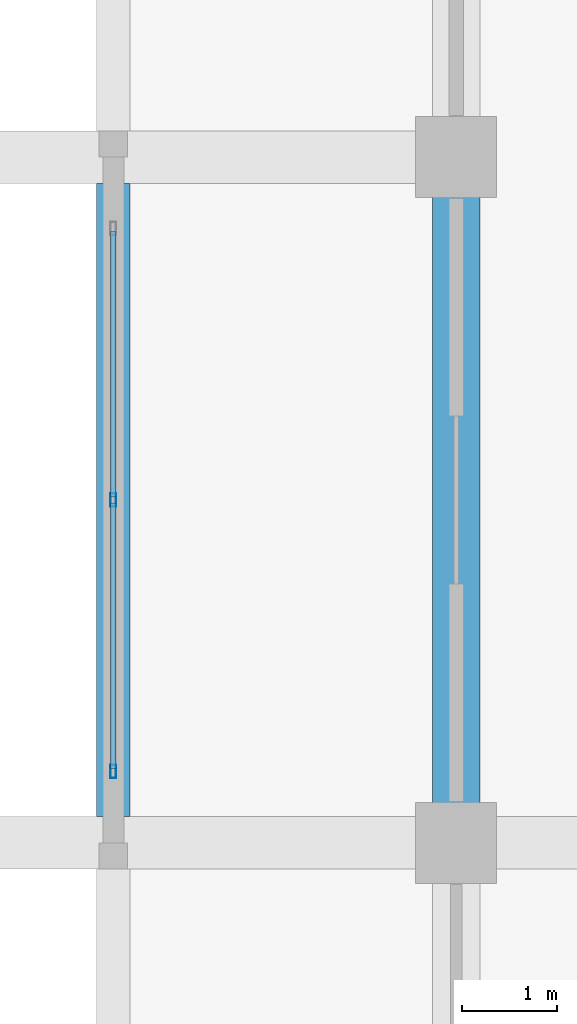
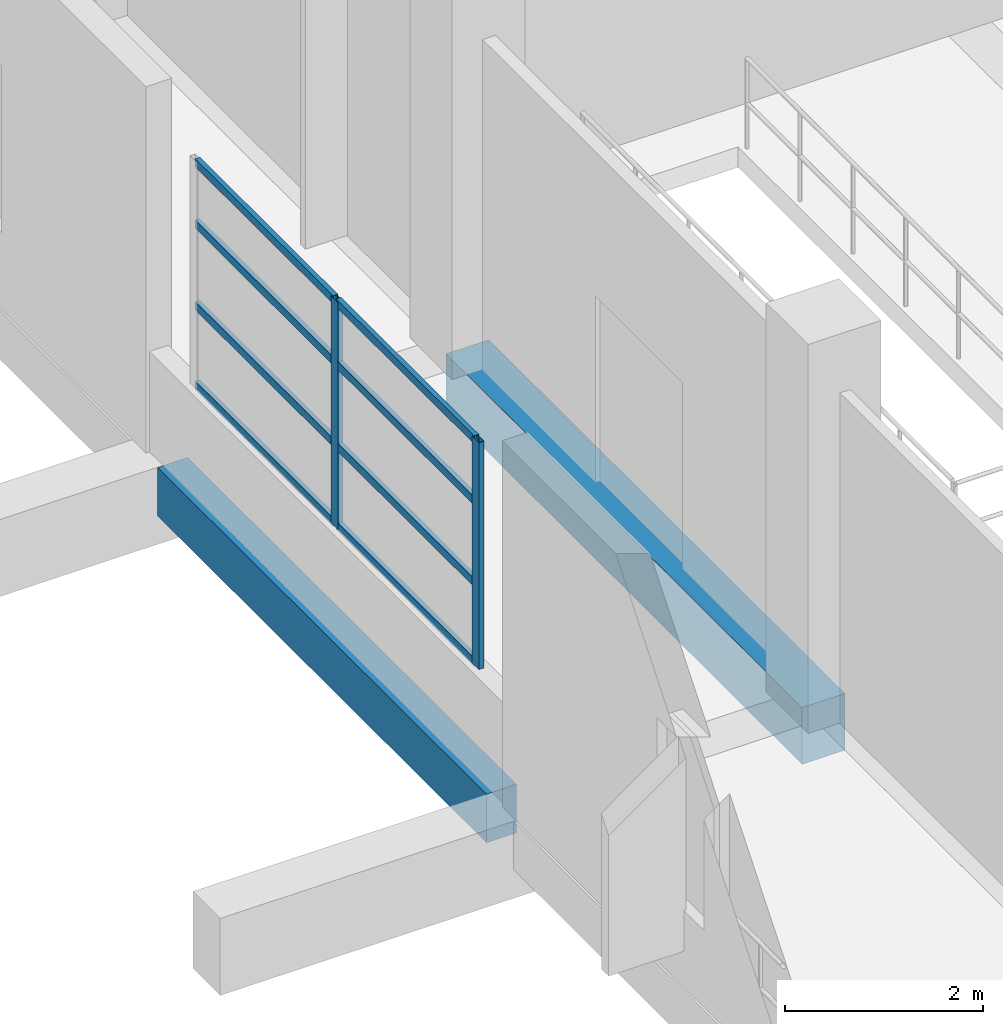
# One storey, part 20 of 181: 10 members, 2 beams, 1 element without a shape of its own.
"""IFC4 building model written with IfcOpenShell, lengths in metres."""

import ifcopenshell
import ifcopenshell.guid

model = None  # the IFC model being written
_history = None  # IfcOwnerHistory: only IFC2X3 demands one
_inside = {}  # id of a spatial element -> (the spatial element, [elements in it])
_under = {}  # id of a project, library or spatial element -> (it, [spatial elements below it])
_declared = {}  # id of a project -> (the project, [libraries it declares])
_typed = {}  # id of a type object -> (the type object, [elements of that type])
_made_of = {}  # id of a material, layer set ... -> (it, [elements and type objects made of it])


def new_model(schema):
    """Start an empty IFC model of exactly this schema.

    Asked for "IFC4X3", IfcOpenShell would pick the latest addendum, in which some entities
    have other attributes; the version numbers below select the first issue.
    IFC2X3 requires an IfcOwnerHistory on every rooted entity: one is made here for all.
    """
    global model, _history
    if schema == "IFC4X3":
        model = ifcopenshell.file(schema_version=(4, 3, 0, 0))
    else:
        model = ifcopenshell.file(schema=schema)
    _inside.clear()
    _under.clear()
    _declared.clear()
    _typed.clear()
    _made_of.clear()
    _history = None
    if model.schema == "IFC2X3":
        org = make("IfcOrganization", Name="unknown")
        user = make(
            "IfcPersonAndOrganization",
            ThePerson=make("IfcPerson", FamilyName="unknown"),
            TheOrganization=org,
        )
        app = make(
            "IfcApplication",
            ApplicationDeveloper=org,
            Version="unknown",
            ApplicationFullName="unknown",
            ApplicationIdentifier="unknown",
        )
        _history = make(
            "IfcOwnerHistory",
            OwningUser=user,
            OwningApplication=app,
            ChangeAction="ADDED",
            CreationDate=0,
        )
    return model


def make(cls, **values):
    """One entity of the class cls with the attributes given. An attribute that is None is left unset."""
    return model.create_entity(
        cls, **{name: value for name, value in values.items() if value is not None}
    )


def rooted(cls, **values):
    """An entity with a GlobalId (a new one), such as an element, a storey or a relation."""
    return make(cls, GlobalId=ifcopenshell.guid.new(), OwnerHistory=_history, **values)


def si_unit(unit_type, name, prefix=None):
    """IfcSIUnit, for example si_unit("LENGTHUNIT", "METRE", prefix="MILLI")."""
    return make("IfcSIUnit", UnitType=unit_type, Prefix=prefix, Name=name)


def assignment(units):
    """IfcUnitAssignment: the units of a project."""
    return None if units is None else make("IfcUnitAssignment", Units=units)


def point(xyz):
    """IfcCartesianPoint."""
    return None if xyz is None else make("IfcCartesianPoint", Coordinates=xyz)


def direction(xyz):
    """IfcDirection."""
    return None if xyz is None else make("IfcDirection", DirectionRatios=xyz)


def frame(location, z_axis=None, x_axis=None):
    """IfcAxis2Placement3D, a coordinate frame: its origin and axes. An axis left out is left unset."""
    return make(
        "IfcAxis2Placement3D",
        Location=point(location),
        Axis=direction(z_axis),
        RefDirection=direction(x_axis),
    )


def frame_2d(location, x_axis=None):
    """IfcAxis2Placement2D, a coordinate frame in the plane: its origin and x axis."""
    return make(
        "IfcAxis2Placement2D", Location=point(location), RefDirection=direction(x_axis)
    )


def origin():
    """The frame at (0, 0, 0) with its axes left unset."""
    return frame((0.0, 0.0, 0.0))


def origin_2d():
    """The frame at (0, 0) in the plane with its x axis left unset."""
    return frame_2d((0.0, 0.0))


def place(relative_to, where):
    """IfcLocalPlacement: puts the frame where relative to a parent placement (None: the world)."""
    return make(
        "IfcLocalPlacement", PlacementRelTo=relative_to, RelativePlacement=where
    )


def context(
    kind, dimensions, precision=None, world=None, true_north=None, identifier=None
):
    """IfcGeometricRepresentationContext, for example the 3D "Model" context."""
    return make(
        "IfcGeometricRepresentationContext",
        ContextIdentifier=identifier,
        ContextType=kind,
        CoordinateSpaceDimension=dimensions,
        Precision=precision,
        WorldCoordinateSystem=world,
        TrueNorth=true_north,
    )


def subcontext(parent, identifier, kind, view, scale=None):
    """IfcGeometricRepresentationSubContext, for example "Body" below "Model"."""
    return make(
        "IfcGeometricRepresentationSubContext",
        ContextIdentifier=identifier,
        ContextType=kind,
        ParentContext=parent,
        TargetScale=scale,
        TargetView=view,
    )


def project(units=None, contexts=None):
    """IfcProject with its units and contexts."""
    return rooted(
        "IfcProject",
        Name="project",
        RepresentationContexts=contexts,
        UnitsInContext=assignment(units),
    )


def spatial(cls, under=None, at=None, **own):
    """A site, building, storey or space (cls), placed at a placement, below another one or the project."""
    s = rooted(cls, ObjectPlacement=at, **own)
    if under is not None:
        _under.setdefault(under.id(), (under, []))[1].append(s)
    return s


def profile(cls, at=None, kind="AREA", **sizes):
    """A parametric profile (cls). Its sizes go by their IFC names, for example OverallWidth=200.0."""
    return make(cls, ProfileType=kind, Position=at, **sizes)


def rectangle(**sizes):
    """IfcRectangleProfileDef."""
    return profile("IfcRectangleProfileDef", **sizes)


def hollow_rectangle(**sizes):
    """IfcRectangleHollowProfileDef."""
    return profile("IfcRectangleHollowProfileDef", **sizes)


def extrude(swept, where, along, depth):
    """IfcExtrudedAreaSolid: the profile swept, set in the frame where, extruded along a direction by depth."""
    return make(
        "IfcExtrudedAreaSolid",
        SweptArea=swept,
        Position=where,
        ExtrudedDirection=direction(along),
        Depth=depth,
    )


def shape(context_of_items, identifier, shape_type, items):
    """IfcShapeRepresentation: the items that make up one representation, for example the "Body"."""
    return make(
        "IfcShapeRepresentation",
        ContextOfItems=context_of_items,
        RepresentationIdentifier=identifier,
        RepresentationType=shape_type,
        Items=items,
    )


def material(Name=None, Category=None):
    """IfcMaterial."""
    return make("IfcMaterial", Name=Name, Category=Category)


def layer(
    of_material, thickness, ventilated=None, Name=None, Category=None, Priority=None
):
    """IfcMaterialLayer: one layer of a wall or slab, of a material (None: an air gap)."""
    return make(
        "IfcMaterialLayer",
        Material=of_material,
        LayerThickness=thickness,
        IsVentilated=ventilated,
        Name=Name,
        Category=Category,
        Priority=Priority,
    )


def layer_set(layers, Name=None):
    """IfcMaterialLayerSet."""
    return make("IfcMaterialLayerSet", MaterialLayers=layers, LayerSetName=Name)


def material_profile(
    of_material, cross_section, Name=None, Category=None, Priority=None
):
    """IfcMaterialProfile: a cross section and its material."""
    return make(
        "IfcMaterialProfile",
        Name=Name,
        Material=of_material,
        Profile=cross_section,
        Priority=Priority,
        Category=Category,
    )


def profile_set(profiles, Name=None, composite=None):
    """IfcMaterialProfileSet."""
    return make(
        "IfcMaterialProfileSet",
        Name=Name,
        MaterialProfiles=profiles,
        CompositeProfile=composite,
    )


def made_of(thing, what):
    """Note that an element or type object is made of a material, layer set ...; save() writes the relation."""
    if what is not None:
        _made_of.setdefault(what.id(), (what, []))[1].append(thing)
    return thing


def type_object(cls, material=None, **own):
    """A type object (cls), such as IfcWallType, which elements share."""
    return made_of(rooted(cls, **own), material)


def element(
    cls,
    number,
    at=None,
    inside=None,
    cuts=None,
    type_object=None,
    material=None,
    context=None,
    identifier="Body",
    shape_type=None,
    held_by="IfcProductDefinitionShape",
    body=None,
    shapes=None,
    **own,
):
    """One element of the class cls, such as IfcWall. Its Tag is "e" and its number.

    at: its placement. inside: the storey or other place that contains it. cuts: it is an
    opening in that element (IfcRelVoidsElement). A single representation is given by context,
    identifier, shape_type and body (its items); several are given by shapes. held_by: the class
    of the entity that holds the representations. save() writes the other relations.
    """
    e = rooted(cls, Tag="e%d" % number, ObjectPlacement=at, **own)
    if body is not None:
        shapes = [shape(context, identifier, shape_type, body)]
    if shapes is not None:
        e.Representation = make(held_by, Representations=shapes)
    if inside is not None:
        _inside.setdefault(inside.id(), (inside, []))[1].append(e)
    if cuts is not None:
        rooted(
            "IfcRelVoidsElement", RelatingBuildingElement=cuts, RelatedOpeningElement=e
        )
    if type_object is not None:
        _typed.setdefault(type_object.id(), (type_object, []))[1].append(e)
    return made_of(e, material)


def aggregate(whole, parts):
    """IfcRelAggregates: a whole, such as a stair, and the parts it consists of."""
    return rooted("IfcRelAggregates", RelatingObject=whole, RelatedObjects=parts)


def save(model, path):
    """Write the relations noted so far, then the file.

    IfcRelAggregates (storeys below a building ...), IfcRelContainedInSpatialStructure (elements
    in a storey), IfcRelDefinesByType, IfcRelAssociatesMaterial and IfcRelDeclares: one each for
    every whole, place, type object, material and project.
    """
    for whole, parts in _under.values():
        aggregate(whole, parts)
    for where, things in _inside.values():
        rooted(
            "IfcRelContainedInSpatialStructure",
            RelatedElements=things,
            RelatingStructure=where,
        )
    for kind, things in _typed.values():
        rooted("IfcRelDefinesByType", RelatedObjects=things, RelatingType=kind)
    for what, things in _made_of.values():
        rooted("IfcRelAssociatesMaterial", RelatedObjects=things, RelatingMaterial=what)
    for by, libraries in _declared.values():
        rooted("IfcRelDeclares", RelatingContext=by, RelatedDefinitions=libraries)
    model.write(path)


model = new_model("IFC4")

# Units and contexts
model_context = context("Model", 3, precision=1e-05, world=origin(), true_north=direction((0.0, 1.0)))
body_context = subcontext(model_context, "Body", "Model", "MODEL_VIEW")
ifc_project = project(units=[si_unit("LENGTHUNIT", "METRE"), si_unit("AREAUNIT", "SQUARE_METRE"), si_unit("VOLUMEUNIT", "CUBIC_METRE"), si_unit("PLANEANGLEUNIT", "RADIAN"), si_unit("MASSUNIT", "GRAM", prefix="KILO")], contexts=[model_context])

# Site, building, storey
site_placement = place(None, origin())
site = spatial("IfcSite", under=ifc_project, at=site_placement, CompositionType="ELEMENT")
building_placement = place(site_placement, origin())
building = spatial("IfcBuilding", under=site, at=building_placement, Name="Seraya Terrace Polytechnic", CompositionType="ELEMENT")
storey_placement = place(building_placement, frame((0.0, 0.0, 4.800048828125)))
storey = spatial("IfcBuildingStorey", under=building, at=storey_placement, Name="L01", CompositionType="ELEMENT", Elevation=4.800048828125)

# Beam
ifc_material_1 = material(Name="Concrete C40/50", Category="concrete")
ifc_material_profile_1 = material_profile(ifc_material_1, rectangle(XDim=0.5, YDim=0.699951171875, at=origin_2d()), Name="RC 500x700")
ifc_profile_set_1 = profile_set([ifc_material_profile_1], Name="Concrete C40/50")
beam_type_1 = type_object("IfcBeamType", Name="BM-07", PredefinedType="BEAM", material=ifc_profile_set_1)
beam_1_placement = place(storey_placement, frame((7.199951171875, 50.39990234375, -0.35009765625), z_axis=(0.0, 1.0, 0.0), x_axis=(-1.0, 0.0, 0.0)))
element("IfcBeam", 1, at=beam_1_placement, inside=storey, type_object=beam_type_1, Name="Beam BM-07 L01 Y (7.2, 50.4..57.6)", PredefinedType="BEAM", context=body_context, shape_type="SweptSolid", body=[
    extrude(rectangle(XDim=0.5, YDim=0.699951171875, at=origin_2d()), origin(), (0.0, 0.0, 1.0), 7.2001953125),
])

# Curtain wall, members
ifc_material_2 = material(Name="Anodised aluminium EN AW-6063 T6", Category="aluminium")
ifc_layer = layer(ifc_material_2, 0.179931640625, Name="CW-03")
ifc_layer_set = layer_set([ifc_layer], Name="Anodised aluminium EN AW-6063 T6")
curtain_wall_type = type_object("IfcCurtainWallType", Name="CW-03", PredefinedType="NOTDEFINED", material=ifc_layer_set)
curtain_wall_placement = place(storey_placement, origin())
curtain_wall = element("IfcCurtainWall", 2, at=curtain_wall_placement, inside=storey, type_object=curtain_wall_type, Name="Unitised curtain wall CW-03 (CW-L01-003)", PredefinedType="NOTDEFINED")
ifc_material_profile_2 = material_profile(ifc_material_2, hollow_rectangle(XDim=0.06005859375, YDim=0.139892578125, WallThickness=0.00341796875, at=origin_2d()), Name="RHS 140x60x3.5")
ifc_profile_set_2 = profile_set([ifc_material_profile_2], Name="Anodised aluminium EN AW-6063 T6")
member_type_1 = type_object("IfcMemberType", Name="CWM-03", PredefinedType="MULLION", material=ifc_profile_set_2)
member_1_placement = place(storey_placement, frame((3.60009765625, 51.14990234375, 1.239990234375), z_axis=(0.0, 0.0, 1.0), x_axis=(-1.0, 0.0, 0.0)))
member_1 = element("IfcMember", 3, at=member_1_placement, type_object=member_type_1, Name="CW-03 mullion 1", PredefinedType="MULLION", context=body_context, shape_type="SweptSolid", body=[
    extrude(hollow_rectangle(XDim=0.06005859375, YDim=0.139892578125, WallThickness=0.00341796875, at=origin_2d()), origin(), (0.0, 0.0, 1.0), 2.800048828125),
])
member_2_placement = place(storey_placement, frame((3.60009765625, 54.0, 1.239990234375), z_axis=(0.0, 0.0, 1.0), x_axis=(-1.0, 0.0, 0.0)))
member_2 = element("IfcMember", 4, at=member_2_placement, type_object=member_type_1, Name="CW-03 mullion 2", PredefinedType="MULLION", context=body_context, shape_type="SweptSolid", body=[
    extrude(hollow_rectangle(XDim=0.06005859375, YDim=0.139892578125, WallThickness=0.00341796875, at=origin_2d()), origin(), (0.0, 0.0, 1.0), 2.800048828125),
])
ifc_material_profile_3 = material_profile(ifc_material_2, hollow_rectangle(XDim=0.054931640625, YDim=0.10009765625, WallThickness=0.0029296875, at=origin_2d()), Name="RHS 100x55x3.0")
ifc_profile_set_3 = profile_set([ifc_material_profile_3], Name="Anodised aluminium EN AW-6063 T6")
member_type_2 = type_object("IfcMemberType", Name="CWT-03", PredefinedType="USERDEFINED", material=ifc_profile_set_3)
member_3_placement = place(storey_placement, frame((3.60009765625, 51.179931640625, 1.267333984375), z_axis=(0.0, 1.0, 0.0), x_axis=(-1.0, 0.0, 0.0)))
member_3 = element("IfcMember", 5, at=member_3_placement, type_object=member_type_2, Name="CW-03 transom 1.1", ObjectType="TRANSOM", PredefinedType="USERDEFINED", context=body_context, shape_type="SweptSolid", body=[
    extrude(hollow_rectangle(XDim=0.054931640625, YDim=0.10009765625, WallThickness=0.0029296875, at=origin_2d()), origin(), (0.0, 0.0, 1.0), 2.7900390625),
])
member_4_placement = place(storey_placement, frame((3.60009765625, 51.179931640625, 2.248046875), z_axis=(0.0, 1.0, 0.0), x_axis=(-1.0, 0.0, 0.0)))
member_4 = element("IfcMember", 6, at=member_4_placement, type_object=member_type_2, Name="CW-03 transom 1.2", ObjectType="TRANSOM", PredefinedType="USERDEFINED", context=body_context, shape_type="SweptSolid", body=[
    extrude(hollow_rectangle(XDim=0.054931640625, YDim=0.10009765625, WallThickness=0.0029296875, at=origin_2d()), origin(), (0.0, 0.0, 1.0), 2.7900390625),
])
member_5_placement = place(storey_placement, frame((3.60009765625, 51.179931640625, 3.255859375), z_axis=(0.0, 1.0, 0.0), x_axis=(-1.0, 0.0, 0.0)))
member_5 = element("IfcMember", 7, at=member_5_placement, type_object=member_type_2, Name="CW-03 transom 1.3", ObjectType="TRANSOM", PredefinedType="USERDEFINED", context=body_context, shape_type="SweptSolid", body=[
    extrude(hollow_rectangle(XDim=0.054931640625, YDim=0.10009765625, WallThickness=0.0029296875, at=origin_2d()), origin(), (0.0, 0.0, 1.0), 2.7900390625),
])
member_6_placement = place(storey_placement, frame((3.60009765625, 51.179931640625, 4.012451171875), z_axis=(0.0, 1.0, 0.0), x_axis=(-1.0, 0.0, 0.0)))
member_6 = element("IfcMember", 8, at=member_6_placement, type_object=member_type_2, Name="CW-03 transom 1.4", ObjectType="TRANSOM", PredefinedType="USERDEFINED", context=body_context, shape_type="SweptSolid", body=[
    extrude(hollow_rectangle(XDim=0.054931640625, YDim=0.10009765625, WallThickness=0.0029296875, at=origin_2d()), origin(), (0.0, 0.0, 1.0), 2.7900390625),
])
member_7_placement = place(storey_placement, frame((3.60009765625, 54.030029296875, 1.267333984375), z_axis=(0.0, 1.0, 0.0), x_axis=(-1.0, 0.0, 0.0)))
member_7 = element("IfcMember", 9, at=member_7_placement, type_object=member_type_2, Name="CW-03 transom 2.1", ObjectType="TRANSOM", PredefinedType="USERDEFINED", context=body_context, shape_type="SweptSolid", body=[
    extrude(hollow_rectangle(XDim=0.054931640625, YDim=0.10009765625, WallThickness=0.0029296875, at=origin_2d()), origin(), (0.0, 0.0, 1.0), 2.7900390625),
])
member_8_placement = place(storey_placement, frame((3.60009765625, 54.030029296875, 2.248046875), z_axis=(0.0, 1.0, 0.0), x_axis=(-1.0, 0.0, 0.0)))
member_8 = element("IfcMember", 10, at=member_8_placement, type_object=member_type_2, Name="CW-03 transom 2.2", ObjectType="TRANSOM", PredefinedType="USERDEFINED", context=body_context, shape_type="SweptSolid", body=[
    extrude(hollow_rectangle(XDim=0.054931640625, YDim=0.10009765625, WallThickness=0.0029296875, at=origin_2d()), origin(), (0.0, 0.0, 1.0), 2.7900390625),
])
member_9_placement = place(storey_placement, frame((3.60009765625, 54.030029296875, 3.255859375), z_axis=(0.0, 1.0, 0.0), x_axis=(-1.0, 0.0, 0.0)))
member_9 = element("IfcMember", 11, at=member_9_placement, type_object=member_type_2, Name="CW-03 transom 2.3", ObjectType="TRANSOM", PredefinedType="USERDEFINED", context=body_context, shape_type="SweptSolid", body=[
    extrude(hollow_rectangle(XDim=0.054931640625, YDim=0.10009765625, WallThickness=0.0029296875, at=origin_2d()), origin(), (0.0, 0.0, 1.0), 2.7900390625),
])
member_10_placement = place(storey_placement, frame((3.60009765625, 54.030029296875, 4.012451171875), z_axis=(0.0, 1.0, 0.0), x_axis=(-1.0, 0.0, 0.0)))
member_10 = element("IfcMember", 12, at=member_10_placement, type_object=member_type_2, Name="CW-03 transom 2.4", ObjectType="TRANSOM", PredefinedType="USERDEFINED", context=body_context, shape_type="SweptSolid", body=[
    extrude(hollow_rectangle(XDim=0.054931640625, YDim=0.10009765625, WallThickness=0.0029296875, at=origin_2d()), origin(), (0.0, 0.0, 1.0), 2.7900390625),
])
aggregate(curtain_wall, [member_1, member_2, member_3, member_4, member_5, member_6, member_7, member_8, member_9, member_10])

# Beam
ifc_material_profile_4 = material_profile(ifc_material_1, rectangle(XDim=0.35009765625, YDim=0.60009765625, at=origin_2d()), Name="RC 350x600")
ifc_profile_set_4 = profile_set([ifc_material_profile_4], Name="Concrete C40/50")
beam_type_2 = type_object("IfcBeamType", Name="JS-02", PredefinedType="JOIST", material=ifc_profile_set_4)
beam_2_placement = place(storey_placement, frame((3.60009765625, 50.675048828125, -0.300048828125), z_axis=(0.0, 1.0, 0.0), x_axis=(-1.0, 0.0, 0.0)))
element("IfcBeam", 13, at=beam_2_placement, inside=storey, type_object=beam_type_2, Name="Secondary joist JS-02 L01", PredefinedType="JOIST", context=body_context, shape_type="SweptSolid", body=[
    extrude(rectangle(XDim=0.35009765625, YDim=0.60009765625, at=origin_2d()), origin(), (0.0, 0.0, 1.0), 6.64990234375),
])

save(model, "model.ifc")
